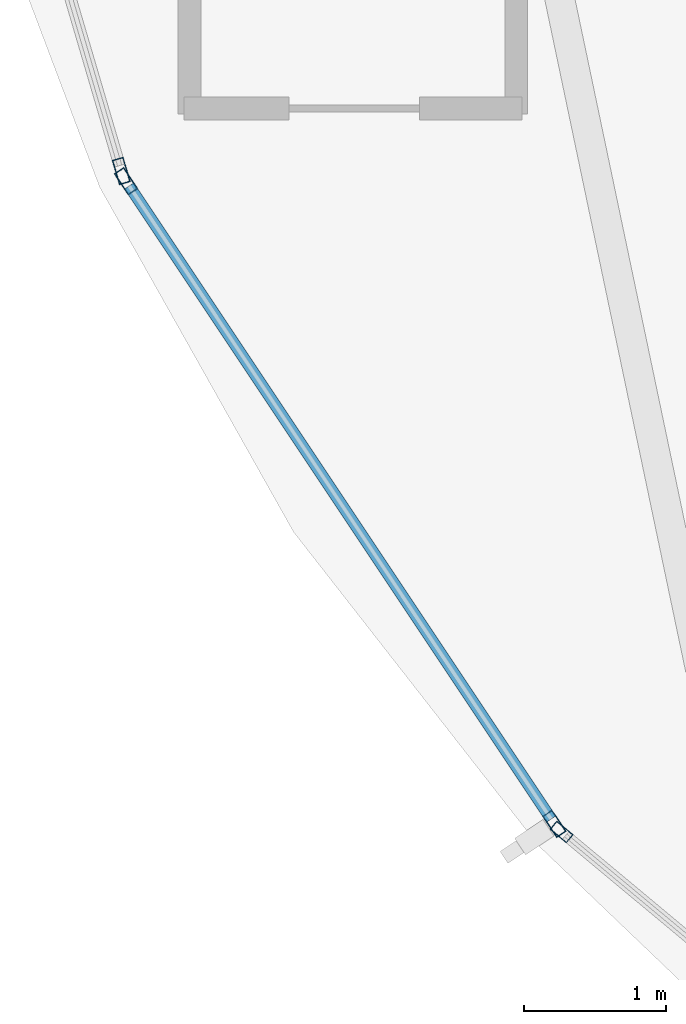
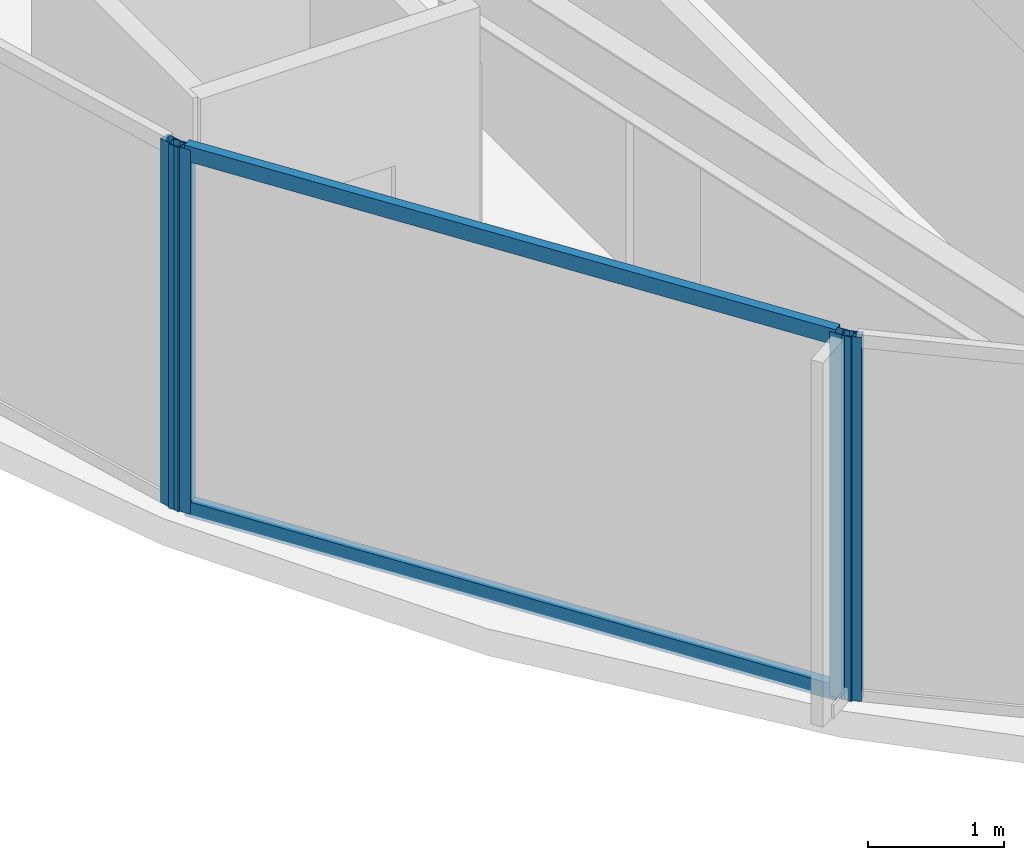
# One storey, part 3 of 29: 6 members, 3 elements without a shape of their own.
"""IFC4 building model written with IfcOpenShell, lengths in metres."""

from ifc_helpers import new_model, si_unit, direction, frame, origin, origin_2d, place, context, subcontext, project, spatial, hollow_rectangle, extrude, material, layer, layer_set, material_profile, profile_set, type_object, element, aggregate, save


model = new_model("IFC4")

# Units and contexts
model_context = context("Model", 3, precision=1e-05, world=origin(), true_north=direction((0.0, 1.0)))
body_context = subcontext(model_context, "Body", "Model", "MODEL_VIEW")
ifc_project = project(units=[si_unit("LENGTHUNIT", "METRE"), si_unit("AREAUNIT", "SQUARE_METRE"), si_unit("VOLUMEUNIT", "CUBIC_METRE"), si_unit("PLANEANGLEUNIT", "RADIAN"), si_unit("MASSUNIT", "GRAM", prefix="KILO")], contexts=[model_context])

# Site, building, storey
site_placement = place(None, origin())
site = spatial("IfcSite", under=ifc_project, at=site_placement, CompositionType="ELEMENT")
building_placement = place(site_placement, origin())
building = spatial("IfcBuilding", under=site, at=building_placement, Name="Kazevale Care Tower and Concert Hall", CompositionType="ELEMENT")
storey_placement = place(building_placement, frame((0.0, 0.0, 249.60009765625)))
storey = spatial("IfcBuildingStorey", under=building, at=storey_placement, Name="L66", CompositionType="ELEMENT", Elevation=249.60009765625)

# Curtain wall, members
ifc_material_1 = material(Name="Aluminium 6063-T6 and Low-E Glass", Category="aluminium")
ifc_layer_1 = layer(ifc_material_1, 0.179931640625)
ifc_layer_set_1 = layer_set([ifc_layer_1], Name="Aluminium 6063-T6 and Low-E Glass")
curtain_wall_type_1 = type_object("IfcCurtainWallType", Name="Waist & Upper Residential Curtain Wall CW-4", PredefinedType="NOTDEFINED", material=ifc_layer_set_1)
curtain_wall_1_placement = place(storey_placement, origin())
curtain_wall_1 = element("IfcCurtainWall", 1, at=curtain_wall_1_placement, inside=storey, type_object=curtain_wall_type_1, Name="cw:L66:f11", PredefinedType="NOTDEFINED")
ifc_material_2 = material(Name="Aluminium 6063-T6", Category="aluminium")
ifc_material_profile_1 = material_profile(ifc_material_2, hollow_rectangle(XDim=0.080078125, YDim=0.179931640625, WallThickness=0.0048828125, at=origin_2d()), Name="ALU80x180x5")
ifc_profile_set_1 = profile_set([ifc_material_profile_1], Name="Aluminium 6063-T6")
member_type_1 = type_object("IfcMemberType", Name="CW-4 Mullion ALU80x180x5", PredefinedType="MULLION", material=ifc_profile_set_1)
member_1_placement = place(storey_placement, frame((18.185791015625, 25.26318359375, 0.0), z_axis=(0.0, 0.0, 1.0), x_axis=(-0.832106058512, -0.554616540853, 0.0)))
member_1 = element("IfcMember", 2, at=member_1_placement, type_object=member_type_1, Name="CW-4 mullion 1", PredefinedType="MULLION", context=body_context, shape_type="SweptSolid", body=[
    extrude(hollow_rectangle(XDim=0.080078125, YDim=0.179931640625, WallThickness=0.0048828125, at=origin_2d()), origin(), (0.0, 0.0, 1.0), 3.27978515625),
])
member_2_placement = place(storey_placement, frame((15.170166015625, 29.78759765625, 0.0), z_axis=(0.0, 0.0, 1.0), x_axis=(-0.832106058512, -0.554616540853, 0.0)))
member_2 = element("IfcMember", 3, at=member_2_placement, type_object=member_type_1, Name="CW-4 mullion 2", PredefinedType="MULLION", context=body_context, shape_type="SweptSolid", body=[
    extrude(hollow_rectangle(XDim=0.080078125, YDim=0.179931640625, WallThickness=0.0048828125, at=origin_2d()), origin(), (0.0, 0.0, 1.0), 3.27978515625),
])

# Curtain wall, member
curtain_wall_2_placement = place(storey_placement, origin())
curtain_wall_2 = element("IfcCurtainWall", 4, at=curtain_wall_2_placement, inside=storey, type_object=curtain_wall_type_1, Name="cw:L66:f12", PredefinedType="NOTDEFINED")
member_3_placement = place(storey_placement, frame((15.13671875, 29.859375, 0.0), z_axis=(0.0, 0.0, 1.0), x_axis=(-0.959385539982, -0.282098184457, 0.0)))
member_3 = element("IfcMember", 5, at=member_3_placement, type_object=member_type_1, Name="CW-4 mullion 1", PredefinedType="MULLION", context=body_context, shape_type="SweptSolid", body=[
    extrude(hollow_rectangle(XDim=0.080078125, YDim=0.179931640625, WallThickness=0.0048828125, at=origin_2d()), origin(), (0.0, 0.0, 1.0), 3.27978515625),
])
aggregate(curtain_wall_2, [member_3])

# Member
ifc_material_profile_2 = material_profile(ifc_material_2, hollow_rectangle(XDim=0.080078125, YDim=0.139892578125, WallThickness=0.00390625, at=origin_2d()), Name="ALU80x140x4")
ifc_profile_set_2 = profile_set([ifc_material_profile_2], Name="Aluminium 6063-T6")
member_type_2 = type_object("IfcMemberType", Name="CW-4 Transom ALU80x140x4", PredefinedType="USERDEFINED", material=ifc_profile_set_2)
member_4_placement = place(storey_placement, frame((18.16357421875, 25.296630859375, 0.039794921875), z_axis=(-0.554616059735, 0.832106379187, 0.0), x_axis=(-0.832106379187, -0.554616059735, 0.0)))
member_4 = element("IfcMember", 6, at=member_4_placement, type_object=member_type_2, Name="CW-4 transom 1.1", ObjectType="TRANSOM", PredefinedType="USERDEFINED", context=body_context, shape_type="SweptSolid", body=[
    extrude(hollow_rectangle(XDim=0.080078125, YDim=0.139892578125, WallThickness=0.00390625, at=origin_2d()), origin(), (0.0, 0.0, 1.0), 5.357177734375),
])

member_5_placement = place(storey_placement, frame((18.16357421875, 25.296630859375, 3.239990234375), z_axis=(-0.554616059735, 0.832106379187, 0.0), x_axis=(-0.832106379187, -0.554616059735, 0.0)))
member_5 = element("IfcMember", 7, at=member_5_placement, type_object=member_type_2, Name="CW-4 transom 1.2", ObjectType="TRANSOM", PredefinedType="USERDEFINED", context=body_context, shape_type="SweptSolid", body=[
    extrude(hollow_rectangle(XDim=0.080078125, YDim=0.139892578125, WallThickness=0.00390625, at=origin_2d()), origin(), (0.0, 0.0, 1.0), 5.357177734375),
])

aggregate(curtain_wall_1, [member_1, member_2, member_4, member_5])

# Curtain wall, member
ifc_layer_2 = layer(ifc_material_1, 0.179931640625)
ifc_layer_set_2 = layer_set([ifc_layer_2], Name="Aluminium 6063-T6 and Low-E Glass")
curtain_wall_type_2 = type_object("IfcCurtainWallType", Name="Sheltered Concave Balcony Curtain Wall CW-5", PredefinedType="NOTDEFINED", material=ifc_layer_set_2)
curtain_wall_3_placement = place(storey_placement, origin())
curtain_wall_3 = element("IfcCurtainWall", 8, at=curtain_wall_3_placement, inside=storey, type_object=curtain_wall_type_2, Name="cw:L66:f10", PredefinedType="NOTDEFINED")
ifc_material_profile_3 = material_profile(ifc_material_2, hollow_rectangle(XDim=0.074951171875, YDim=0.14990234375, WallThickness=0.00390625, at=origin_2d()), Name="ALU75x150x4")
ifc_profile_set_3 = profile_set([ifc_material_profile_3], Name="Aluminium 6063-T6")
member_type_3 = type_object("IfcMemberType", Name="CW-5 Mullion ALU75x150x4", PredefinedType="MULLION", material=ifc_profile_set_3)
member_6_placement = place(storey_placement, frame((18.23681640625, 25.2060546875, 0.0), z_axis=(0.0, 0.0, 1.0), x_axis=(-0.639961217204, -0.768407210062, 0.0)))
member_6 = element("IfcMember", 9, at=member_6_placement, type_object=member_type_3, Name="CW-5 mullion 2", PredefinedType="MULLION", context=body_context, shape_type="SweptSolid", body=[
    extrude(hollow_rectangle(XDim=0.074951171875, YDim=0.14990234375, WallThickness=0.00390625, at=origin_2d()), origin(), (0.0, 0.0, 1.0), 3.27978515625),
])
aggregate(curtain_wall_3, [member_6])

save(model, "model.ifc")
